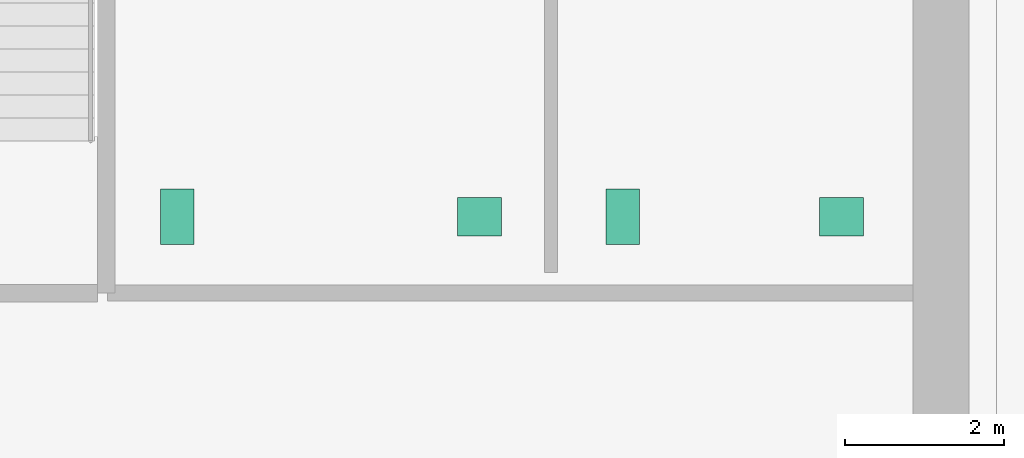
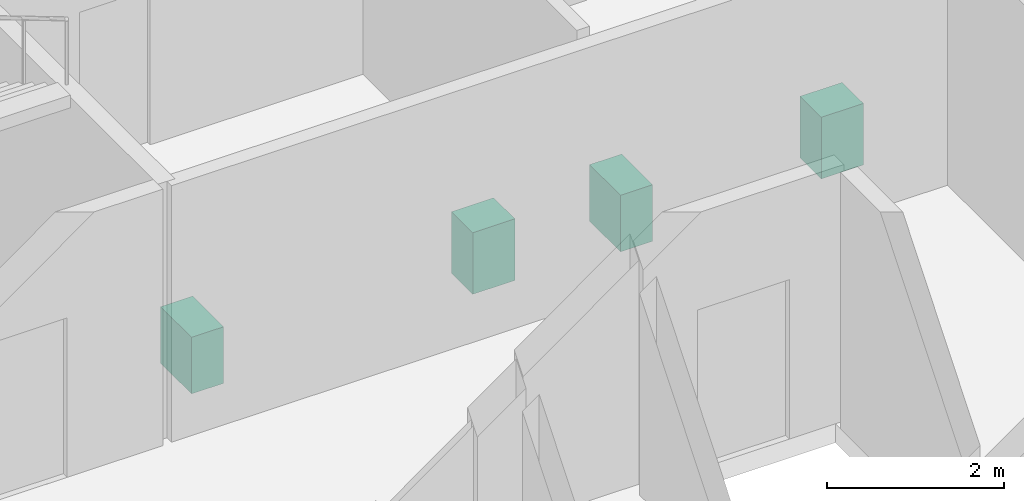
# One storey, part 12 of 12: 4 sanitary terminals.
"""IFC4 building model written with IfcOpenShell, lengths in metres."""

from ifc_helpers import new_model, si_unit, direction, frame, origin, origin_2d, place, context, subcontext, project, spatial, rectangle, extrude, material, type_object, element, save


model = new_model("IFC4")

# Units and contexts
model_context = context("Model", 3, precision=1e-05, world=origin(), true_north=direction((0.0, 1.0)))
body_context = subcontext(model_context, "Body", "Model", "MODEL_VIEW")
ifc_project = project(units=[si_unit("LENGTHUNIT", "METRE"), si_unit("AREAUNIT", "SQUARE_METRE"), si_unit("VOLUMEUNIT", "CUBIC_METRE"), si_unit("PLANEANGLEUNIT", "RADIAN"), si_unit("MASSUNIT", "GRAM", prefix="KILO")], contexts=[model_context])

# Site, building, storey
site_placement = place(None, origin())
site = spatial("IfcSite", under=ifc_project, at=site_placement, CompositionType="ELEMENT")
building_placement = place(site_placement, origin())
building = spatial("IfcBuilding", under=site, at=building_placement, Name="Norrvale University Quadrangle", CompositionType="ELEMENT")
storey_placement = place(building_placement, frame((0.0, 0.0, 139.39990234375)))
storey = spatial("IfcBuildingStorey", under=building, at=storey_placement, Name="L35", CompositionType="ELEMENT", Elevation=139.39990234375)

# Sanitary terminals
ifc_material = material(Name="Vitreous China Sanitaryware")
sanitary_terminal_type_1 = type_object("IfcSanitaryTerminalType", Name="Sanitary Wash Basin", PredefinedType="WASHHANDBASIN", material=ifc_material)
for number, where, z_axis, x_axis, name in (
    (1, (11.0, 41.10009765625, 0.0), (0.0, 0.0, 1.0), (1.0, 0.0, 0.0), "Accessible Countertop Washbasin L35-1"),
    (2, (15.550048828125, 41.10009765625, 0.0), (0.0, 0.0, 1.0), (1.0, 0.0, 0.0), "Accessible Countertop Washbasin L35-2"),
):
    element("IfcSanitaryTerminal", number, at=place(storey_placement, frame(where, z_axis=z_axis, x_axis=x_axis)), inside=storey, type_object=sanitary_terminal_type_1, Name=name, PredefinedType="WASHHANDBASIN", context=body_context, shape_type="SweptSolid", body=[
        extrude(rectangle(XDim=0.550048828125, YDim=0.47998046875, at=origin_2d()), origin(), (0.0, 0.0, 1.0), 0.85009765625),
    ])
sanitary_terminal_type_2 = type_object("IfcSanitaryTerminalType", Name="Sanitary Water Closet", PredefinedType="TOILETPAN", material=ifc_material)
for number, where, z_axis, x_axis, name in (
    (3, (7.199951171875, 41.10009765625, 0.0), (0.0, 0.0, 1.0), (1.0, 0.0, 0.0), "Wall-Hung Water Closet L35-1"),
    (4, (12.800048828125, 41.10009765625, 0.0), (0.0, 0.0, 1.0), (1.0, 0.0, 0.0), "Wall-Hung Water Closet L35-2"),
):
    element("IfcSanitaryTerminal", number, at=place(storey_placement, frame(where, z_axis=z_axis, x_axis=x_axis)), inside=storey, type_object=sanitary_terminal_type_2, Name=name, PredefinedType="TOILETPAN", context=body_context, shape_type="SweptSolid", body=[
        extrude(rectangle(XDim=0.419921875, YDim=0.699951171875, at=origin_2d()), origin(), (0.0, 0.0, 1.0), 0.780029296875),
    ])

save(model, "model.ifc")
